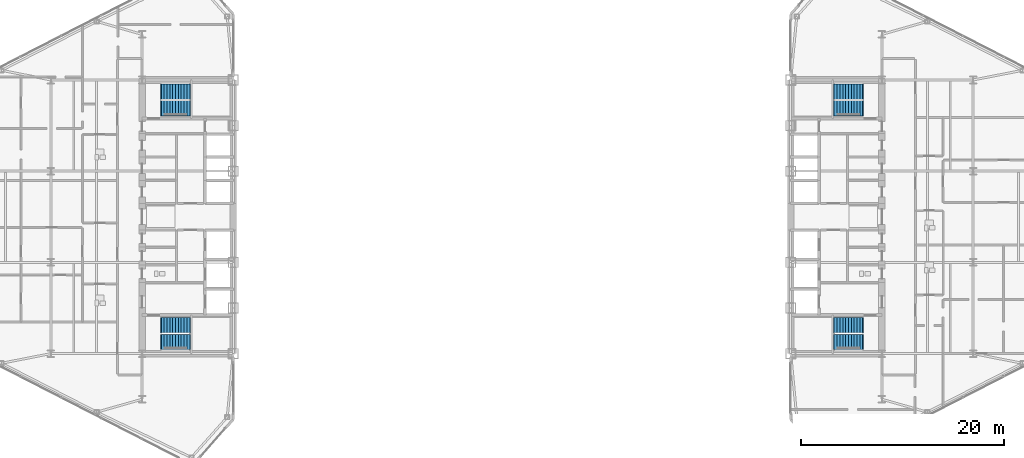
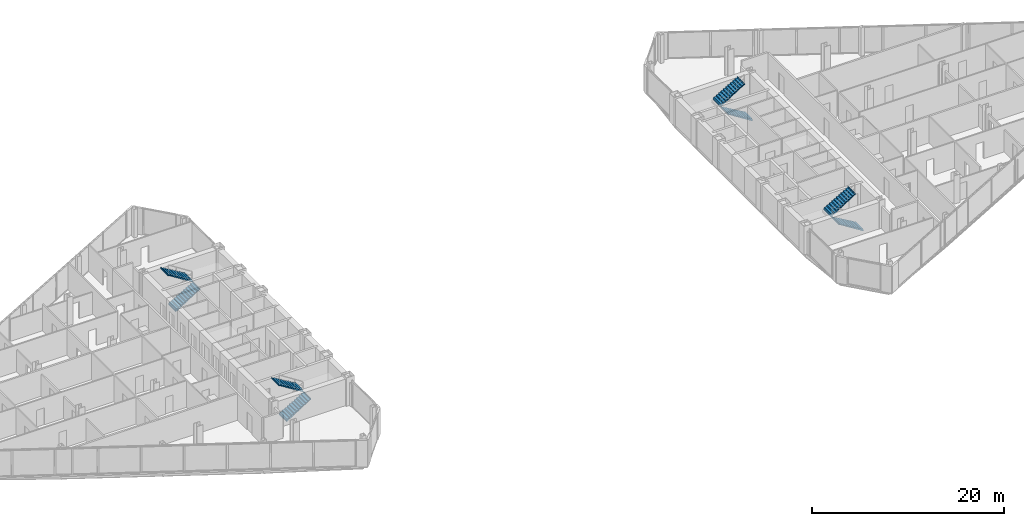
# One storey, part 22 of 24: 8 stair flights, 4 elements without a shape of their own.
"""IFC4 building model written with IfcOpenShell, lengths in metres."""

from ifc_helpers import new_model, si_unit, direction, frame, origin, place, context, subcontext, project, spatial, polyline, outline, extrude, material, type_object, element, aggregate, save


model = new_model("IFC4")

# Units and contexts
model_context = context("Model", 3, precision=1e-05, world=origin(), true_north=direction((0.0, 1.0)))
body_context = subcontext(model_context, "Body", "Model", "MODEL_VIEW")
ifc_project = project(units=[si_unit("LENGTHUNIT", "METRE"), si_unit("AREAUNIT", "SQUARE_METRE"), si_unit("VOLUMEUNIT", "CUBIC_METRE"), si_unit("PLANEANGLEUNIT", "RADIAN"), si_unit("MASSUNIT", "GRAM", prefix="KILO")], contexts=[model_context])

# Site, building, storey
site_placement = place(None, origin())
site = spatial("IfcSite", under=ifc_project, at=site_placement, CompositionType="ELEMENT")
building_placement = place(site_placement, origin())
building = spatial("IfcBuilding", under=site, at=building_placement, Name="Seokmaru Belvedere", CompositionType="ELEMENT")
storey_placement = place(building_placement, frame((0.0, 0.0, 124.800048828125)))
storey = spatial("IfcBuildingStorey", under=building, at=storey_placement, Name="L33", CompositionType="ELEMENT", Elevation=124.800048828125)

# Stair, stair flights
ifc_material = material(Name="Concrete C40 (40 MPa)", Category="concrete")
stair_type = type_object("IfcStairType", Name="Typical Tower Core Dog-Leg Stair 3600", PredefinedType="TWO_STRAIGHT_RUN_STAIR", material=ifc_material)
stair_1_placement = place(storey_placement, origin())
stair_1 = element("IfcStair", 1, at=stair_1_placement, inside=storey, type_object=stair_type, Name="L33 Special Escape Stair ST-W1", PredefinedType="TWO_STRAIGHT_RUN_STAIR")
stair_flight_type = type_object("IfcStairFlightType", Name="Reinforced Concrete Stair Flight 1500", PredefinedType="STRAIGHT", material=ifc_material)
stair_flight_1_placement = place(storey_placement, frame((-34.60009765625, -12.35009765625, 0.0), z_axis=(0.0, 0.0, 1.0), x_axis=(1.0, 0.0, 0.0)))
stair_flight_1 = element("IfcStairFlight", 2, at=stair_flight_1_placement, type_object=stair_flight_type, Name="ST-W1 flight 1", NumberOfRisers=11, NumberOfTreads=10, PredefinedType="STRAIGHT", RiserHeight=0.163636364, TreadLength=0.28, context=body_context, shape_type="SweptSolid", body=[
    extrude(outline(polyline([(-0.080078125, 0.0), (0.0, 0.16357421875), (0.280029296875, 0.16357421875), (0.280029296875, 0.327392578125), (0.56005859375, 0.327392578125), (0.56005859375, 0.490966796875), (0.840087890625, 0.490966796875), (0.840087890625, 0.654541015625), (1.1201171875, 0.654541015625), (1.1201171875, 0.818115234375), (1.39990234375, 0.818115234375), (1.39990234375, 0.98193359375), (1.679931640625, 0.98193359375), (1.679931640625, 1.1455078125), (1.9599609375, 1.1455078125), (1.9599609375, 1.30908203125), (2.239990234375, 1.30908203125), (2.239990234375, 1.47265625), (2.52001953125, 1.47265625), (2.52001953125, 1.636474609375), (2.800048828125, 1.636474609375), (2.800048828125, 1.800048828125), (2.8798828125, 1.800048828125), (2.8798828125, 1.610107421875), (2.800048828125, 1.610107421875), (0.0, -0.159912109375), (-0.080078125, -0.159912109375), (-0.080078125, 0.0)])), frame((0.0, 0.75, 0.0), z_axis=(0.0, -1.0, 0.0), x_axis=(1.0, 0.0, 0.0)), (0.0, 0.0, 1.0), 1.5),
])
stair_flight_2_placement = place(storey_placement, frame((-31.800048828125, -10.7099609375, 1.800048828125), z_axis=(0.0, 0.0, 1.0), x_axis=(-1.0, 0.0, 0.0)))
stair_flight_2 = element("IfcStairFlight", 3, at=stair_flight_2_placement, type_object=stair_flight_type, Name="ST-W1 flight 2", NumberOfRisers=11, NumberOfTreads=10, PredefinedType="STRAIGHT", RiserHeight=0.163636364, TreadLength=0.28, context=body_context, shape_type="SweptSolid", body=[
    extrude(outline(polyline([(-0.080078125, 0.0), (0.0, 0.16357421875), (0.280029296875, 0.16357421875), (0.280029296875, 0.327392578125), (0.56005859375, 0.327392578125), (0.56005859375, 0.490966796875), (0.840087890625, 0.490966796875), (0.840087890625, 0.654541015625), (1.1201171875, 0.654541015625), (1.1201171875, 0.818115234375), (1.39990234375, 0.818115234375), (1.39990234375, 0.98193359375), (1.679931640625, 0.98193359375), (1.679931640625, 1.1455078125), (1.9599609375, 1.1455078125), (1.9599609375, 1.30908203125), (2.239990234375, 1.30908203125), (2.239990234375, 1.47265625), (2.52001953125, 1.47265625), (2.52001953125, 1.636474609375), (2.800048828125, 1.636474609375), (2.800048828125, 1.800048828125), (2.8798828125, 1.800048828125), (2.8798828125, 1.610107421875), (2.800048828125, 1.610107421875), (0.0, -0.159912109375), (-0.080078125, -0.159912109375), (-0.080078125, 0.0)])), frame((0.0, 0.75, 0.0), z_axis=(0.0, -1.0, 0.0), x_axis=(1.0, 0.0, 0.0)), (0.0, 0.0, 1.0), 1.5),
])
aggregate(stair_1, [stair_flight_1, stair_flight_2])

stair_2_placement = place(storey_placement, origin())
stair_2 = element("IfcStair", 4, at=stair_2_placement, inside=storey, type_object=stair_type, Name="L33 Special Escape Stair ST-W2", PredefinedType="TWO_STRAIGHT_RUN_STAIR")
stair_flight_3_placement = place(storey_placement, frame((-34.60009765625, 10.7099609375, 0.0), z_axis=(0.0, 0.0, 1.0), x_axis=(1.0, 0.0, 0.0)))
stair_flight_3 = element("IfcStairFlight", 5, at=stair_flight_3_placement, type_object=stair_flight_type, Name="ST-W2 flight 1", NumberOfRisers=11, NumberOfTreads=10, PredefinedType="STRAIGHT", RiserHeight=0.163636364, TreadLength=0.28, context=body_context, shape_type="SweptSolid", body=[
    extrude(outline(polyline([(-0.080078125, 0.0), (0.0, 0.16357421875), (0.280029296875, 0.16357421875), (0.280029296875, 0.327392578125), (0.56005859375, 0.327392578125), (0.56005859375, 0.490966796875), (0.840087890625, 0.490966796875), (0.840087890625, 0.654541015625), (1.1201171875, 0.654541015625), (1.1201171875, 0.818115234375), (1.39990234375, 0.818115234375), (1.39990234375, 0.98193359375), (1.679931640625, 0.98193359375), (1.679931640625, 1.1455078125), (1.9599609375, 1.1455078125), (1.9599609375, 1.30908203125), (2.239990234375, 1.30908203125), (2.239990234375, 1.47265625), (2.52001953125, 1.47265625), (2.52001953125, 1.636474609375), (2.800048828125, 1.636474609375), (2.800048828125, 1.800048828125), (2.8798828125, 1.800048828125), (2.8798828125, 1.610107421875), (2.800048828125, 1.610107421875), (0.0, -0.159912109375), (-0.080078125, -0.159912109375), (-0.080078125, 0.0)])), frame((0.0, 0.75, 0.0), z_axis=(0.0, -1.0, 0.0), x_axis=(1.0, 0.0, 0.0)), (0.0, 0.0, 1.0), 1.5),
])
stair_flight_4_placement = place(storey_placement, frame((-31.800048828125, 12.35009765625, 1.800048828125), z_axis=(0.0, 0.0, 1.0), x_axis=(-1.0, 0.0, 0.0)))
stair_flight_4 = element("IfcStairFlight", 6, at=stair_flight_4_placement, type_object=stair_flight_type, Name="ST-W2 flight 2", NumberOfRisers=11, NumberOfTreads=10, PredefinedType="STRAIGHT", RiserHeight=0.163636364, TreadLength=0.28, context=body_context, shape_type="SweptSolid", body=[
    extrude(outline(polyline([(-0.080078125, 0.0), (0.0, 0.16357421875), (0.280029296875, 0.16357421875), (0.280029296875, 0.327392578125), (0.56005859375, 0.327392578125), (0.56005859375, 0.490966796875), (0.840087890625, 0.490966796875), (0.840087890625, 0.654541015625), (1.1201171875, 0.654541015625), (1.1201171875, 0.818115234375), (1.39990234375, 0.818115234375), (1.39990234375, 0.98193359375), (1.679931640625, 0.98193359375), (1.679931640625, 1.1455078125), (1.9599609375, 1.1455078125), (1.9599609375, 1.30908203125), (2.239990234375, 1.30908203125), (2.239990234375, 1.47265625), (2.52001953125, 1.47265625), (2.52001953125, 1.636474609375), (2.800048828125, 1.636474609375), (2.800048828125, 1.800048828125), (2.8798828125, 1.800048828125), (2.8798828125, 1.610107421875), (2.800048828125, 1.610107421875), (0.0, -0.159912109375), (-0.080078125, -0.159912109375), (-0.080078125, 0.0)])), frame((0.0, 0.75, 0.0), z_axis=(0.0, -1.0, 0.0), x_axis=(1.0, 0.0, 0.0)), (0.0, 0.0, 1.0), 1.5),
])
aggregate(stair_2, [stair_flight_3, stair_flight_4])

stair_3_placement = place(storey_placement, origin())
stair_3 = element("IfcStair", 7, at=stair_3_placement, inside=storey, type_object=stair_type, Name="L33 Special Escape Stair ST-E1", PredefinedType="TWO_STRAIGHT_RUN_STAIR")
stair_flight_5_placement = place(storey_placement, frame((34.60009765625, -12.35009765625, 0.0), z_axis=(0.0, 0.0, 1.0), x_axis=(-1.0, 0.0, 0.0)))
stair_flight_5 = element("IfcStairFlight", 8, at=stair_flight_5_placement, type_object=stair_flight_type, Name="ST-E1 flight 1", NumberOfRisers=11, NumberOfTreads=10, PredefinedType="STRAIGHT", RiserHeight=0.163636364, TreadLength=0.28, context=body_context, shape_type="SweptSolid", body=[
    extrude(outline(polyline([(-0.080078125, 0.0), (0.0, 0.16357421875), (0.280029296875, 0.16357421875), (0.280029296875, 0.327392578125), (0.56005859375, 0.327392578125), (0.56005859375, 0.490966796875), (0.840087890625, 0.490966796875), (0.840087890625, 0.654541015625), (1.1201171875, 0.654541015625), (1.1201171875, 0.818115234375), (1.39990234375, 0.818115234375), (1.39990234375, 0.98193359375), (1.679931640625, 0.98193359375), (1.679931640625, 1.1455078125), (1.9599609375, 1.1455078125), (1.9599609375, 1.30908203125), (2.239990234375, 1.30908203125), (2.239990234375, 1.47265625), (2.52001953125, 1.47265625), (2.52001953125, 1.636474609375), (2.800048828125, 1.636474609375), (2.800048828125, 1.800048828125), (2.8798828125, 1.800048828125), (2.8798828125, 1.610107421875), (2.800048828125, 1.610107421875), (0.0, -0.159912109375), (-0.080078125, -0.159912109375), (-0.080078125, 0.0)])), frame((0.0, 0.75, 0.0), z_axis=(0.0, -1.0, 0.0), x_axis=(1.0, 0.0, 0.0)), (0.0, 0.0, 1.0), 1.5),
])
stair_flight_6_placement = place(storey_placement, frame((31.800048828125, -10.7099609375, 1.800048828125), z_axis=(0.0, 0.0, 1.0), x_axis=(1.0, 0.0, 0.0)))
stair_flight_6 = element("IfcStairFlight", 9, at=stair_flight_6_placement, type_object=stair_flight_type, Name="ST-E1 flight 2", NumberOfRisers=11, NumberOfTreads=10, PredefinedType="STRAIGHT", RiserHeight=0.163636364, TreadLength=0.28, context=body_context, shape_type="SweptSolid", body=[
    extrude(outline(polyline([(-0.080078125, 0.0), (0.0, 0.16357421875), (0.280029296875, 0.16357421875), (0.280029296875, 0.327392578125), (0.56005859375, 0.327392578125), (0.56005859375, 0.490966796875), (0.840087890625, 0.490966796875), (0.840087890625, 0.654541015625), (1.1201171875, 0.654541015625), (1.1201171875, 0.818115234375), (1.39990234375, 0.818115234375), (1.39990234375, 0.98193359375), (1.679931640625, 0.98193359375), (1.679931640625, 1.1455078125), (1.9599609375, 1.1455078125), (1.9599609375, 1.30908203125), (2.239990234375, 1.30908203125), (2.239990234375, 1.47265625), (2.52001953125, 1.47265625), (2.52001953125, 1.636474609375), (2.800048828125, 1.636474609375), (2.800048828125, 1.800048828125), (2.8798828125, 1.800048828125), (2.8798828125, 1.610107421875), (2.800048828125, 1.610107421875), (0.0, -0.159912109375), (-0.080078125, -0.159912109375), (-0.080078125, 0.0)])), frame((0.0, 0.75, 0.0), z_axis=(0.0, -1.0, 0.0), x_axis=(1.0, 0.0, 0.0)), (0.0, 0.0, 1.0), 1.5),
])
aggregate(stair_3, [stair_flight_5, stair_flight_6])

stair_4_placement = place(storey_placement, origin())
stair_4 = element("IfcStair", 10, at=stair_4_placement, inside=storey, type_object=stair_type, Name="L33 Special Escape Stair ST-E2", PredefinedType="TWO_STRAIGHT_RUN_STAIR")
stair_flight_7_placement = place(storey_placement, frame((34.60009765625, 10.7099609375, 0.0), z_axis=(0.0, 0.0, 1.0), x_axis=(-1.0, 0.0, 0.0)))
stair_flight_7 = element("IfcStairFlight", 11, at=stair_flight_7_placement, type_object=stair_flight_type, Name="ST-E2 flight 1", NumberOfRisers=11, NumberOfTreads=10, PredefinedType="STRAIGHT", RiserHeight=0.163636364, TreadLength=0.28, context=body_context, shape_type="SweptSolid", body=[
    extrude(outline(polyline([(-0.080078125, 0.0), (0.0, 0.16357421875), (0.280029296875, 0.16357421875), (0.280029296875, 0.327392578125), (0.56005859375, 0.327392578125), (0.56005859375, 0.490966796875), (0.840087890625, 0.490966796875), (0.840087890625, 0.654541015625), (1.1201171875, 0.654541015625), (1.1201171875, 0.818115234375), (1.39990234375, 0.818115234375), (1.39990234375, 0.98193359375), (1.679931640625, 0.98193359375), (1.679931640625, 1.1455078125), (1.9599609375, 1.1455078125), (1.9599609375, 1.30908203125), (2.239990234375, 1.30908203125), (2.239990234375, 1.47265625), (2.52001953125, 1.47265625), (2.52001953125, 1.636474609375), (2.800048828125, 1.636474609375), (2.800048828125, 1.800048828125), (2.8798828125, 1.800048828125), (2.8798828125, 1.610107421875), (2.800048828125, 1.610107421875), (0.0, -0.159912109375), (-0.080078125, -0.159912109375), (-0.080078125, 0.0)])), frame((0.0, 0.75, 0.0), z_axis=(0.0, -1.0, 0.0), x_axis=(1.0, 0.0, 0.0)), (0.0, 0.0, 1.0), 1.5),
])
stair_flight_8_placement = place(storey_placement, frame((31.800048828125, 12.35009765625, 1.800048828125), z_axis=(0.0, 0.0, 1.0), x_axis=(1.0, 0.0, 0.0)))
stair_flight_8 = element("IfcStairFlight", 12, at=stair_flight_8_placement, type_object=stair_flight_type, Name="ST-E2 flight 2", NumberOfRisers=11, NumberOfTreads=10, PredefinedType="STRAIGHT", RiserHeight=0.163636364, TreadLength=0.28, context=body_context, shape_type="SweptSolid", body=[
    extrude(outline(polyline([(-0.080078125, 0.0), (0.0, 0.16357421875), (0.280029296875, 0.16357421875), (0.280029296875, 0.327392578125), (0.56005859375, 0.327392578125), (0.56005859375, 0.490966796875), (0.840087890625, 0.490966796875), (0.840087890625, 0.654541015625), (1.1201171875, 0.654541015625), (1.1201171875, 0.818115234375), (1.39990234375, 0.818115234375), (1.39990234375, 0.98193359375), (1.679931640625, 0.98193359375), (1.679931640625, 1.1455078125), (1.9599609375, 1.1455078125), (1.9599609375, 1.30908203125), (2.239990234375, 1.30908203125), (2.239990234375, 1.47265625), (2.52001953125, 1.47265625), (2.52001953125, 1.636474609375), (2.800048828125, 1.636474609375), (2.800048828125, 1.800048828125), (2.8798828125, 1.800048828125), (2.8798828125, 1.610107421875), (2.800048828125, 1.610107421875), (0.0, -0.159912109375), (-0.080078125, -0.159912109375), (-0.080078125, 0.0)])), frame((0.0, 0.75, 0.0), z_axis=(0.0, -1.0, 0.0), x_axis=(1.0, 0.0, 0.0)), (0.0, 0.0, 1.0), 1.5),
])
aggregate(stair_4, [stair_flight_7, stair_flight_8])

save(model, "model.ifc")
